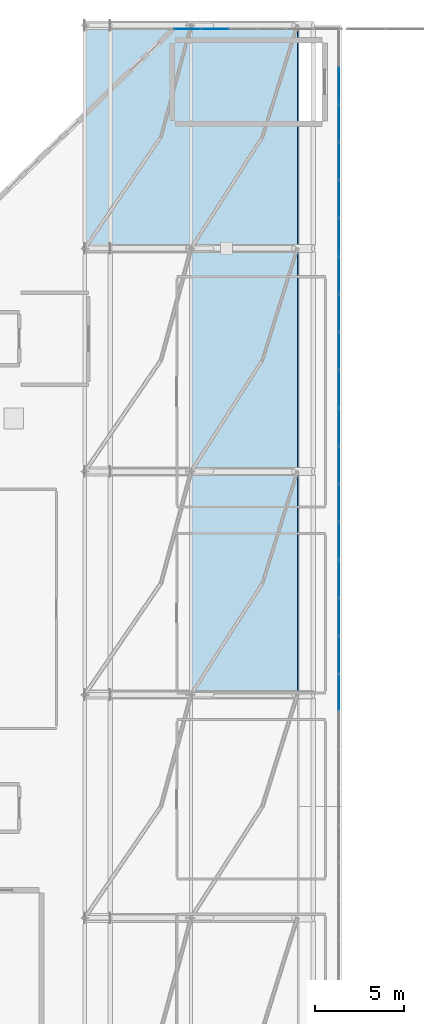
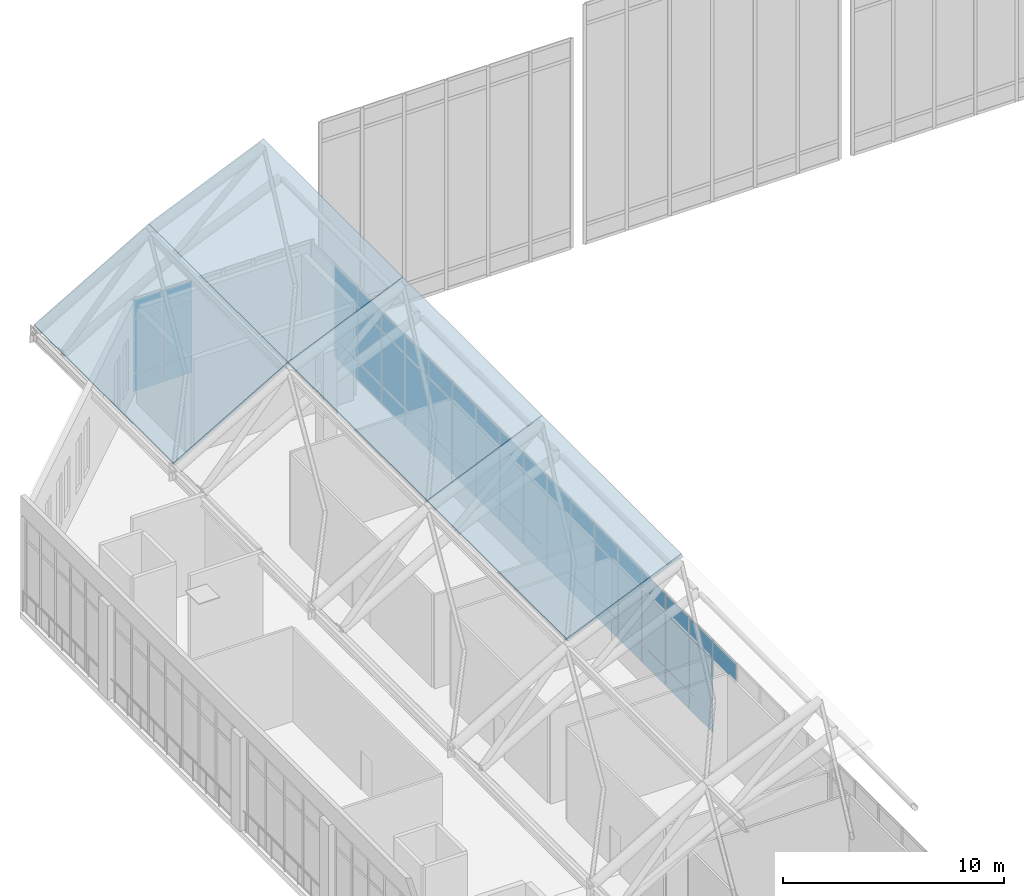
# One storey, part 29 of 42: 55 plates, 4 slabs, 2 elements without a shape of their own.
"""IFC4 building model written with IfcOpenShell, lengths in metres."""

from ifc_helpers import new_model, si_unit, derived_unit, direction, frame, origin, origin_2d, place, context, subcontext, project, spatial, polyline, rectangle, outline, extrude, material, layer, layer_set, type_object, element, aggregate, save


model = new_model("IFC4")

# Units and contexts
model_context = context("Model", 3, precision=1e-05, world=origin(), true_north=direction((0.0, 1.0)))
body_context = subcontext(model_context, "Body", "Model", "MODEL_VIEW")
ifc_project = project(units=[si_unit("LENGTHUNIT", "METRE"), si_unit("AREAUNIT", "SQUARE_METRE"), si_unit("VOLUMEUNIT", "CUBIC_METRE"), si_unit("PLANEANGLEUNIT", "RADIAN"), si_unit("MASSUNIT", "GRAM", prefix="KILO"), derived_unit("THERMALTRANSMITTANCEUNIT", [(si_unit("MASSUNIT", "GRAM", prefix="KILO"), 1), (si_unit("TIMEUNIT", "SECOND"), -3), (si_unit("THERMODYNAMICTEMPERATUREUNIT", "KELVIN"), -1)])], contexts=[model_context])

# Site, building, storey
site_placement = place(None, origin())
site = spatial("IfcSite", under=ifc_project, at=site_placement, CompositionType="ELEMENT")
building_placement = place(site_placement, origin())
building = spatial("IfcBuilding", under=site, at=building_placement, Name="Valcora Ridge Arena", CompositionType="ELEMENT")
storey_placement = place(building_placement, frame((0.0, 0.0, 26.39990234375)))
storey = spatial("IfcBuildingStorey", under=building, at=storey_placement, Name="L05", CompositionType="ELEMENT", Elevation=26.39990234375)

# Curtain wall, plates
ifc_material_1 = material(Name="Anodised dark bronze architectural aluminium 6063-T6", Category="aluminium")
ifc_layer_1 = layer(ifc_material_1, 0.179931640625, Name="Anodised dark bronze architectural aluminium 6063-T6")
ifc_layer_set_1 = layer_set([ifc_layer_1], Name="Anodised dark bronze architectural aluminium 6063-T6")
curtain_wall_type_1 = type_object("IfcCurtainWallType", Name="TY-CURTAINWALL-CW-V1-GOTH-095X52", PredefinedType="NOTDEFINED", material=ifc_layer_set_1)
curtain_wall_1_placement = place(storey_placement, origin())
curtain_wall_1 = element("IfcCurtainWall", 1, at=curtain_wall_1_placement, inside=storey, type_object=curtain_wall_type_1, Name="CW-V1-GOTH-095X52 CW-0170", PredefinedType="NOTDEFINED")
ifc_material_2 = material(Name="Low-iron solar-control double glazing SHGC 0.28", Category="glass")
ifc_layer_2 = layer(ifc_material_2, 0.031982421875, Name="Low-iron solar-control double glazing SHGC 0.28")
ifc_layer_set_2 = layer_set([ifc_layer_2], Name="Low-iron solar-control double glazing SHGC 0.28")
plate_type_1 = type_object("IfcPlateType", Name="TY-PLT-CWP-1493X0960", PredefinedType="CURTAIN_PANEL", material=ifc_layer_set_2)
plate_1_placement = place(storey_placement, frame((29.806396484375, 108.0, 0.06005859375), z_axis=(0.0, 0.0, 1.0), x_axis=(1.0, 0.0, 0.0)))
plate_1 = element("IfcPlate", 2, at=plate_1_placement, type_object=plate_type_1, Name="CW-0170/P00-00", PredefinedType="CURTAIN_PANEL", context=body_context, shape_type="SweptSolid", body=[
    extrude(rectangle(XDim=1.492919921875, YDim=0.031982421875, at=origin_2d()), origin(), (0.0, 0.0, 1.0), 0.9599609375),
])
ifc_layer_3 = layer(ifc_material_2, 0.031982421875, Name="Low-iron solar-control double glazing SHGC 0.28")
ifc_layer_set_3 = layer_set([ifc_layer_3], Name="Low-iron solar-control double glazing SHGC 0.28")
plate_type_2 = type_object("IfcPlateType", Name="TY-PLT-CWP-1493X1010", PredefinedType="CURTAIN_PANEL", material=ifc_layer_set_3)
plate_2_placement = place(storey_placement, frame((29.806396484375, 108.0, 4.10986328125), z_axis=(0.0, 0.0, 1.0), x_axis=(1.0, 0.0, 0.0)))
plate_2 = element("IfcPlate", 3, at=plate_2_placement, type_object=plate_type_2, Name="CW-0170/P00-02", PredefinedType="CURTAIN_PANEL", context=body_context, shape_type="SweptSolid", body=[
    extrude(rectangle(XDim=1.492919921875, YDim=0.031982421875, at=origin_2d()), origin(), (0.0, 0.0, 1.0), 1.010009765625),
])
ifc_layer_4 = layer(ifc_material_2, 0.031982421875, Name="Low-iron solar-control double glazing SHGC 0.28")
ifc_layer_set_4 = layer_set([ifc_layer_4], Name="Low-iron solar-control double glazing SHGC 0.28")
plate_type_3 = type_object("IfcPlateType", Name="TY-PLT-CWP-1493X2970", PredefinedType="CURTAIN_PANEL", material=ifc_layer_set_4)
plate_3_placement = place(storey_placement, frame((29.806396484375, 108.0, 1.080078125), z_axis=(0.0, 0.0, 1.0), x_axis=(1.0, 0.0, 0.0)))
plate_3 = element("IfcPlate", 4, at=plate_3_placement, type_object=plate_type_3, Name="CW-0170/P00-01", PredefinedType="CURTAIN_PANEL", context=body_context, shape_type="SweptSolid", body=[
    extrude(rectangle(XDim=1.492919921875, YDim=0.031982421875, at=origin_2d()), origin(), (0.0, 0.0, 1.0), 2.969970703125),
])
ifc_layer_5 = layer(ifc_material_2, 0.031982421875, Name="Low-iron solar-control double glazing SHGC 0.28")
ifc_layer_set_5 = layer_set([ifc_layer_5], Name="Low-iron solar-control double glazing SHGC 0.28")
plate_type_4 = type_object("IfcPlateType", Name="TY-PLT-CWP-1524X0960", PredefinedType="CURTAIN_PANEL", material=ifc_layer_set_5)
plate_4_placement = place(storey_placement, frame((31.375, 108.0, 0.06005859375), z_axis=(0.0, 0.0, 1.0), x_axis=(1.0, 0.0, 0.0)))
plate_4 = element("IfcPlate", 5, at=plate_4_placement, type_object=plate_type_4, Name="CW-0170/P01-00", PredefinedType="CURTAIN_PANEL", context=body_context, shape_type="SweptSolid", body=[
    extrude(rectangle(XDim=1.52392578125, YDim=0.031982421875, at=origin_2d()), origin(), (0.0, 0.0, 1.0), 0.9599609375),
])
ifc_layer_6 = layer(ifc_material_2, 0.031982421875, Name="Low-iron solar-control double glazing SHGC 0.28")
ifc_layer_set_6 = layer_set([ifc_layer_6], Name="Low-iron solar-control double glazing SHGC 0.28")
plate_type_5 = type_object("IfcPlateType", Name="TY-PLT-CWP-1524X1010", PredefinedType="CURTAIN_PANEL", material=ifc_layer_set_6)
plate_5_placement = place(storey_placement, frame((31.375, 108.0, 4.10986328125), z_axis=(0.0, 0.0, 1.0), x_axis=(1.0, 0.0, 0.0)))
plate_5 = element("IfcPlate", 6, at=plate_5_placement, type_object=plate_type_5, Name="CW-0170/P01-02", PredefinedType="CURTAIN_PANEL", context=body_context, shape_type="SweptSolid", body=[
    extrude(rectangle(XDim=1.52392578125, YDim=0.031982421875, at=origin_2d()), origin(), (0.0, 0.0, 1.0), 1.010009765625),
])
ifc_layer_7 = layer(ifc_material_2, 0.031982421875, Name="Low-iron solar-control double glazing SHGC 0.28")
ifc_layer_set_7 = layer_set([ifc_layer_7], Name="Low-iron solar-control double glazing SHGC 0.28")
plate_type_6 = type_object("IfcPlateType", Name="TY-PLT-CWP-1524X2970", PredefinedType="CURTAIN_PANEL", material=ifc_layer_set_7)
plate_6_placement = place(storey_placement, frame((31.375, 108.0, 1.080078125), z_axis=(0.0, 0.0, 1.0), x_axis=(1.0, 0.0, 0.0)))
plate_6 = element("IfcPlate", 7, at=plate_6_placement, type_object=plate_type_6, Name="CW-0170/P01-01", PredefinedType="CURTAIN_PANEL", context=body_context, shape_type="SweptSolid", body=[
    extrude(rectangle(XDim=1.52392578125, YDim=0.031982421875, at=origin_2d()), origin(), (0.0, 0.0, 1.0), 2.969970703125),
])
aggregate(curtain_wall_1, [plate_1, plate_3, plate_2, plate_4, plate_6, plate_5])

ifc_layer_8 = layer(ifc_material_1, 0.14990234375, Name="Anodised dark bronze architectural aluminium 6063-T6")
ifc_layer_set_8 = layer_set([ifc_layer_8], Name="Anodised dark bronze architectural aluminium 6063-T6")
curtain_wall_type_2 = type_object("IfcCurtainWallType", Name="TY-CURTAINWALL-CW-V1-SKY-878X52", PredefinedType="NOTDEFINED", material=ifc_layer_set_8)
curtain_wall_2_placement = place(storey_placement, origin())
curtain_wall_2 = element("IfcCurtainWall", 8, at=curtain_wall_2_placement, inside=storey, type_object=curtain_wall_type_2, Name="CW-V1-SKY-878X52 CW-0171", PredefinedType="NOTDEFINED")
ifc_layer_9 = layer(ifc_material_2, 0.028076171875, Name="Low-iron solar-control double glazing SHGC 0.28")
ifc_layer_set_9 = layer_set([ifc_layer_9], Name="Low-iron solar-control double glazing SHGC 0.28")
plate_type_7 = type_object("IfcPlateType", Name="TY-PLT-CWP-2091X0975", PredefinedType="CURTAIN_PANEL", material=ifc_layer_set_9)
plate_7_placement = place(storey_placement, frame((38.35009765625, 74.8076171875, 0.050048828125), z_axis=(0.0, 0.0, 1.0), x_axis=(0.0, 1.0, 0.0)))
plate_7 = element("IfcPlate", 9, at=plate_7_placement, type_object=plate_type_7, Name="CW-0171/P25-00", PredefinedType="CURTAIN_PANEL", context=body_context, shape_type="SweptSolid", body=[
    extrude(rectangle(XDim=2.091064453125, YDim=0.028076171875, at=origin_2d()), origin(), (0.0, 0.0, 1.0), 0.97509765625),
])
plate_8_placement = place(storey_placement, frame((38.35009765625, 79.090576171875, 0.050048828125), z_axis=(0.0, 0.0, 1.0), x_axis=(0.0, 1.0, 0.0)))
plate_8 = element("IfcPlate", 10, at=plate_8_placement, type_object=plate_type_7, Name="CW-0171/P27-00", PredefinedType="CURTAIN_PANEL", context=body_context, shape_type="SweptSolid", body=[
    extrude(rectangle(XDim=2.091064453125, YDim=0.028076171875, at=origin_2d()), origin(), (0.0, 0.0, 1.0), 0.97509765625),
])
plate_9_placement = place(storey_placement, frame((38.35009765625, 81.2314453125, 0.050048828125), z_axis=(0.0, 0.0, 1.0), x_axis=(0.0, 1.0, 0.0)))
plate_9 = element("IfcPlate", 11, at=plate_9_placement, type_object=plate_type_7, Name="CW-0171/P28-00", PredefinedType="CURTAIN_PANEL", context=body_context, shape_type="SweptSolid", body=[
    extrude(rectangle(XDim=2.091064453125, YDim=0.028076171875, at=origin_2d()), origin(), (0.0, 0.0, 1.0), 0.97509765625),
])
plate_10_placement = place(storey_placement, frame((38.35009765625, 85.514404296875, 0.050048828125), z_axis=(0.0, 0.0, 1.0), x_axis=(0.0, 1.0, 0.0)))
plate_10 = element("IfcPlate", 12, at=plate_10_placement, type_object=plate_type_7, Name="CW-0171/P30-00", PredefinedType="CURTAIN_PANEL", context=body_context, shape_type="SweptSolid", body=[
    extrude(rectangle(XDim=2.091064453125, YDim=0.028076171875, at=origin_2d()), origin(), (0.0, 0.0, 1.0), 0.97509765625),
])
plate_11_placement = place(storey_placement, frame((38.35009765625, 89.797607421875, 0.050048828125), z_axis=(0.0, 0.0, 1.0), x_axis=(0.0, 1.0, 0.0)))
plate_11 = element("IfcPlate", 13, at=plate_11_placement, type_object=plate_type_7, Name="CW-0171/P32-00", PredefinedType="CURTAIN_PANEL", context=body_context, shape_type="SweptSolid", body=[
    extrude(rectangle(XDim=2.091064453125, YDim=0.028076171875, at=origin_2d()), origin(), (0.0, 0.0, 1.0), 0.97509765625),
])
plate_12_placement = place(storey_placement, frame((38.35009765625, 94.08056640625, 0.050048828125), z_axis=(0.0, 0.0, 1.0), x_axis=(0.0, 1.0, 0.0)))
plate_12 = element("IfcPlate", 14, at=plate_12_placement, type_object=plate_type_7, Name="CW-0171/P34-00", PredefinedType="CURTAIN_PANEL", context=body_context, shape_type="SweptSolid", body=[
    extrude(rectangle(XDim=2.091064453125, YDim=0.028076171875, at=origin_2d()), origin(), (0.0, 0.0, 1.0), 0.97509765625),
])
plate_13_placement = place(storey_placement, frame((38.35009765625, 98.363525390625, 0.050048828125), z_axis=(0.0, 0.0, 1.0), x_axis=(0.0, 1.0, 0.0)))
plate_13 = element("IfcPlate", 15, at=plate_13_placement, type_object=plate_type_7, Name="CW-0171/P36-00", PredefinedType="CURTAIN_PANEL", context=body_context, shape_type="SweptSolid", body=[
    extrude(rectangle(XDim=2.091064453125, YDim=0.028076171875, at=origin_2d()), origin(), (0.0, 0.0, 1.0), 0.97509765625),
])
plate_14_placement = place(storey_placement, frame((38.35009765625, 102.646484375, 0.050048828125), z_axis=(0.0, 0.0, 1.0), x_axis=(0.0, 1.0, 0.0)))
plate_14 = element("IfcPlate", 16, at=plate_14_placement, type_object=plate_type_7, Name="CW-0171/P38-00", PredefinedType="CURTAIN_PANEL", context=body_context, shape_type="SweptSolid", body=[
    extrude(rectangle(XDim=2.091064453125, YDim=0.028076171875, at=origin_2d()), origin(), (0.0, 0.0, 1.0), 0.97509765625),
])
ifc_layer_10 = layer(ifc_material_2, 0.028076171875, Name="Low-iron solar-control double glazing SHGC 0.28")
ifc_layer_set_10 = layer_set([ifc_layer_10], Name="Low-iron solar-control double glazing SHGC 0.28")
plate_type_8 = type_object("IfcPlateType", Name="TY-PLT-CWP-2091X1025", PredefinedType="CURTAIN_PANEL", material=ifc_layer_set_10)
plate_15_placement = place(storey_placement, frame((38.35009765625, 70.5244140625, 4.105224609375), z_axis=(0.0, 0.0, 1.0), x_axis=(0.0, 1.0, 0.0)))
plate_15 = element("IfcPlate", 17, at=plate_15_placement, type_object=plate_type_8, Name="CW-0171/P23-02", PredefinedType="CURTAIN_PANEL", context=body_context, shape_type="SweptSolid", body=[
    extrude(rectangle(XDim=2.091064453125, YDim=0.028076171875, at=origin_2d()), origin(), (0.0, 0.0, 1.0), 1.02490234375),
])
plate_16_placement = place(storey_placement, frame((38.35009765625, 74.8076171875, 4.105224609375), z_axis=(0.0, 0.0, 1.0), x_axis=(0.0, 1.0, 0.0)))
plate_16 = element("IfcPlate", 18, at=plate_16_placement, type_object=plate_type_8, Name="CW-0171/P25-02", PredefinedType="CURTAIN_PANEL", context=body_context, shape_type="SweptSolid", body=[
    extrude(rectangle(XDim=2.091064453125, YDim=0.028076171875, at=origin_2d()), origin(), (0.0, 0.0, 1.0), 1.02490234375),
])
plate_17_placement = place(storey_placement, frame((38.35009765625, 79.090576171875, 4.105224609375), z_axis=(0.0, 0.0, 1.0), x_axis=(0.0, 1.0, 0.0)))
plate_17 = element("IfcPlate", 19, at=plate_17_placement, type_object=plate_type_8, Name="CW-0171/P27-02", PredefinedType="CURTAIN_PANEL", context=body_context, shape_type="SweptSolid", body=[
    extrude(rectangle(XDim=2.091064453125, YDim=0.028076171875, at=origin_2d()), origin(), (0.0, 0.0, 1.0), 1.02490234375),
])
plate_18_placement = place(storey_placement, frame((38.35009765625, 81.2314453125, 4.105224609375), z_axis=(0.0, 0.0, 1.0), x_axis=(0.0, 1.0, 0.0)))
plate_18 = element("IfcPlate", 20, at=plate_18_placement, type_object=plate_type_8, Name="CW-0171/P28-02", PredefinedType="CURTAIN_PANEL", context=body_context, shape_type="SweptSolid", body=[
    extrude(rectangle(XDim=2.091064453125, YDim=0.028076171875, at=origin_2d()), origin(), (0.0, 0.0, 1.0), 1.02490234375),
])
plate_19_placement = place(storey_placement, frame((38.35009765625, 85.514404296875, 4.105224609375), z_axis=(0.0, 0.0, 1.0), x_axis=(0.0, 1.0, 0.0)))
plate_19 = element("IfcPlate", 21, at=plate_19_placement, type_object=plate_type_8, Name="CW-0171/P30-02", PredefinedType="CURTAIN_PANEL", context=body_context, shape_type="SweptSolid", body=[
    extrude(rectangle(XDim=2.091064453125, YDim=0.028076171875, at=origin_2d()), origin(), (0.0, 0.0, 1.0), 1.02490234375),
])
plate_20_placement = place(storey_placement, frame((38.35009765625, 89.797607421875, 4.105224609375), z_axis=(0.0, 0.0, 1.0), x_axis=(0.0, 1.0, 0.0)))
plate_20 = element("IfcPlate", 22, at=plate_20_placement, type_object=plate_type_8, Name="CW-0171/P32-02", PredefinedType="CURTAIN_PANEL", context=body_context, shape_type="SweptSolid", body=[
    extrude(rectangle(XDim=2.091064453125, YDim=0.028076171875, at=origin_2d()), origin(), (0.0, 0.0, 1.0), 1.02490234375),
])
plate_21_placement = place(storey_placement, frame((38.35009765625, 94.08056640625, 4.105224609375), z_axis=(0.0, 0.0, 1.0), x_axis=(0.0, 1.0, 0.0)))
plate_21 = element("IfcPlate", 23, at=plate_21_placement, type_object=plate_type_8, Name="CW-0171/P34-02", PredefinedType="CURTAIN_PANEL", context=body_context, shape_type="SweptSolid", body=[
    extrude(rectangle(XDim=2.091064453125, YDim=0.028076171875, at=origin_2d()), origin(), (0.0, 0.0, 1.0), 1.02490234375),
])
plate_22_placement = place(storey_placement, frame((38.35009765625, 98.363525390625, 4.105224609375), z_axis=(0.0, 0.0, 1.0), x_axis=(0.0, 1.0, 0.0)))
plate_22 = element("IfcPlate", 24, at=plate_22_placement, type_object=plate_type_8, Name="CW-0171/P36-02", PredefinedType="CURTAIN_PANEL", context=body_context, shape_type="SweptSolid", body=[
    extrude(rectangle(XDim=2.091064453125, YDim=0.028076171875, at=origin_2d()), origin(), (0.0, 0.0, 1.0), 1.02490234375),
])
plate_23_placement = place(storey_placement, frame((38.35009765625, 102.646484375, 4.105224609375), z_axis=(0.0, 0.0, 1.0), x_axis=(0.0, 1.0, 0.0)))
plate_23 = element("IfcPlate", 25, at=plate_23_placement, type_object=plate_type_8, Name="CW-0171/P38-02", PredefinedType="CURTAIN_PANEL", context=body_context, shape_type="SweptSolid", body=[
    extrude(rectangle(XDim=2.091064453125, YDim=0.028076171875, at=origin_2d()), origin(), (0.0, 0.0, 1.0), 1.02490234375),
])
ifc_layer_11 = layer(ifc_material_2, 0.028076171875, Name="Low-iron solar-control double glazing SHGC 0.28")
ifc_layer_set_11 = layer_set([ifc_layer_11], Name="Low-iron solar-control double glazing SHGC 0.28")
plate_type_9 = type_object("IfcPlateType", Name="TY-PLT-CWP-2091X2980", PredefinedType="CURTAIN_PANEL", material=ifc_layer_set_11)
plate_24_placement = place(storey_placement, frame((38.35009765625, 74.8076171875, 1.0751953125), z_axis=(0.0, 0.0, 1.0), x_axis=(0.0, 1.0, 0.0)))
plate_24 = element("IfcPlate", 26, at=plate_24_placement, type_object=plate_type_9, Name="CW-0171/P25-01", PredefinedType="CURTAIN_PANEL", context=body_context, shape_type="SweptSolid", body=[
    extrude(rectangle(XDim=2.091064453125, YDim=0.028076171875, at=origin_2d()), origin(), (0.0, 0.0, 1.0), 2.97998046875),
])
plate_25_placement = place(storey_placement, frame((38.35009765625, 79.090576171875, 1.0751953125), z_axis=(0.0, 0.0, 1.0), x_axis=(0.0, 1.0, 0.0)))
plate_25 = element("IfcPlate", 27, at=plate_25_placement, type_object=plate_type_9, Name="CW-0171/P27-01", PredefinedType="CURTAIN_PANEL", context=body_context, shape_type="SweptSolid", body=[
    extrude(rectangle(XDim=2.091064453125, YDim=0.028076171875, at=origin_2d()), origin(), (0.0, 0.0, 1.0), 2.97998046875),
])
plate_26_placement = place(storey_placement, frame((38.35009765625, 81.2314453125, 1.0751953125), z_axis=(0.0, 0.0, 1.0), x_axis=(0.0, 1.0, 0.0)))
plate_26 = element("IfcPlate", 28, at=plate_26_placement, type_object=plate_type_9, Name="CW-0171/P28-01", PredefinedType="CURTAIN_PANEL", context=body_context, shape_type="SweptSolid", body=[
    extrude(rectangle(XDim=2.091064453125, YDim=0.028076171875, at=origin_2d()), origin(), (0.0, 0.0, 1.0), 2.97998046875),
])
plate_27_placement = place(storey_placement, frame((38.35009765625, 85.514404296875, 1.0751953125), z_axis=(0.0, 0.0, 1.0), x_axis=(0.0, 1.0, 0.0)))
plate_27 = element("IfcPlate", 29, at=plate_27_placement, type_object=plate_type_9, Name="CW-0171/P30-01", PredefinedType="CURTAIN_PANEL", context=body_context, shape_type="SweptSolid", body=[
    extrude(rectangle(XDim=2.091064453125, YDim=0.028076171875, at=origin_2d()), origin(), (0.0, 0.0, 1.0), 2.97998046875),
])
plate_28_placement = place(storey_placement, frame((38.35009765625, 89.797607421875, 1.0751953125), z_axis=(0.0, 0.0, 1.0), x_axis=(0.0, 1.0, 0.0)))
plate_28 = element("IfcPlate", 30, at=plate_28_placement, type_object=plate_type_9, Name="CW-0171/P32-01", PredefinedType="CURTAIN_PANEL", context=body_context, shape_type="SweptSolid", body=[
    extrude(rectangle(XDim=2.091064453125, YDim=0.028076171875, at=origin_2d()), origin(), (0.0, 0.0, 1.0), 2.97998046875),
])
plate_29_placement = place(storey_placement, frame((38.35009765625, 94.08056640625, 1.0751953125), z_axis=(0.0, 0.0, 1.0), x_axis=(0.0, 1.0, 0.0)))
plate_29 = element("IfcPlate", 31, at=plate_29_placement, type_object=plate_type_9, Name="CW-0171/P34-01", PredefinedType="CURTAIN_PANEL", context=body_context, shape_type="SweptSolid", body=[
    extrude(rectangle(XDim=2.091064453125, YDim=0.028076171875, at=origin_2d()), origin(), (0.0, 0.0, 1.0), 2.97998046875),
])
plate_30_placement = place(storey_placement, frame((38.35009765625, 98.363525390625, 1.0751953125), z_axis=(0.0, 0.0, 1.0), x_axis=(0.0, 1.0, 0.0)))
plate_30 = element("IfcPlate", 32, at=plate_30_placement, type_object=plate_type_9, Name="CW-0171/P36-01", PredefinedType="CURTAIN_PANEL", context=body_context, shape_type="SweptSolid", body=[
    extrude(rectangle(XDim=2.091064453125, YDim=0.028076171875, at=origin_2d()), origin(), (0.0, 0.0, 1.0), 2.97998046875),
])
plate_31_placement = place(storey_placement, frame((38.35009765625, 102.646484375, 1.0751953125), z_axis=(0.0, 0.0, 1.0), x_axis=(0.0, 1.0, 0.0)))
plate_31 = element("IfcPlate", 33, at=plate_31_placement, type_object=plate_type_9, Name="CW-0171/P38-01", PredefinedType="CURTAIN_PANEL", context=body_context, shape_type="SweptSolid", body=[
    extrude(rectangle(XDim=2.091064453125, YDim=0.028076171875, at=origin_2d()), origin(), (0.0, 0.0, 1.0), 2.97998046875),
])
ifc_layer_12 = layer(ifc_material_2, 0.028076171875, Name="Low-iron solar-control double glazing SHGC 0.28")
ifc_layer_set_12 = layer_set([ifc_layer_12], Name="Low-iron solar-control double glazing SHGC 0.28")
plate_type_10 = type_object("IfcPlateType", Name="TY-PLT-CWP-2092X0975", PredefinedType="CURTAIN_PANEL", material=ifc_layer_set_12)
plate_32_placement = place(storey_placement, frame((38.35009765625, 72.666015625, 0.050048828125), z_axis=(0.0, 0.0, 1.0), x_axis=(0.0, 1.0, 0.0)))
plate_32 = element("IfcPlate", 34, at=plate_32_placement, type_object=plate_type_10, Name="CW-0171/P24-00", PredefinedType="CURTAIN_PANEL", context=body_context, shape_type="SweptSolid", body=[
    extrude(rectangle(XDim=2.092041015625, YDim=0.028076171875, at=origin_2d()), origin(), (0.0, 0.0, 1.0), 0.97509765625),
])
plate_33_placement = place(storey_placement, frame((38.35009765625, 76.948974609375, 0.050048828125), z_axis=(0.0, 0.0, 1.0), x_axis=(0.0, 1.0, 0.0)))
plate_33 = element("IfcPlate", 35, at=plate_33_placement, type_object=plate_type_10, Name="CW-0171/P26-00", PredefinedType="CURTAIN_PANEL", context=body_context, shape_type="SweptSolid", body=[
    extrude(rectangle(XDim=2.092041015625, YDim=0.028076171875, at=origin_2d()), origin(), (0.0, 0.0, 1.0), 0.97509765625),
])
plate_34_placement = place(storey_placement, frame((38.35009765625, 83.373046875, 0.050048828125), z_axis=(0.0, 0.0, 1.0), x_axis=(0.0, 1.0, 0.0)))
plate_34 = element("IfcPlate", 36, at=plate_34_placement, type_object=plate_type_10, Name="CW-0171/P29-00", PredefinedType="CURTAIN_PANEL", context=body_context, shape_type="SweptSolid", body=[
    extrude(rectangle(XDim=2.092041015625, YDim=0.028076171875, at=origin_2d()), origin(), (0.0, 0.0, 1.0), 0.97509765625),
])
plate_35_placement = place(storey_placement, frame((38.35009765625, 87.656005859375, 0.050048828125), z_axis=(0.0, 0.0, 1.0), x_axis=(0.0, 1.0, 0.0)))
plate_35 = element("IfcPlate", 37, at=plate_35_placement, type_object=plate_type_10, Name="CW-0171/P31-00", PredefinedType="CURTAIN_PANEL", context=body_context, shape_type="SweptSolid", body=[
    extrude(rectangle(XDim=2.092041015625, YDim=0.028076171875, at=origin_2d()), origin(), (0.0, 0.0, 1.0), 0.97509765625),
])
plate_36_placement = place(storey_placement, frame((38.35009765625, 91.93896484375, 0.050048828125), z_axis=(0.0, 0.0, 1.0), x_axis=(0.0, 1.0, 0.0)))
plate_36 = element("IfcPlate", 38, at=plate_36_placement, type_object=plate_type_10, Name="CW-0171/P33-00", PredefinedType="CURTAIN_PANEL", context=body_context, shape_type="SweptSolid", body=[
    extrude(rectangle(XDim=2.092041015625, YDim=0.028076171875, at=origin_2d()), origin(), (0.0, 0.0, 1.0), 0.97509765625),
])
plate_37_placement = place(storey_placement, frame((38.35009765625, 96.221923828125, 0.050048828125), z_axis=(0.0, 0.0, 1.0), x_axis=(0.0, 1.0, 0.0)))
plate_37 = element("IfcPlate", 39, at=plate_37_placement, type_object=plate_type_10, Name="CW-0171/P35-00", PredefinedType="CURTAIN_PANEL", context=body_context, shape_type="SweptSolid", body=[
    extrude(rectangle(XDim=2.092041015625, YDim=0.028076171875, at=origin_2d()), origin(), (0.0, 0.0, 1.0), 0.97509765625),
])
plate_38_placement = place(storey_placement, frame((38.35009765625, 100.5048828125, 0.050048828125), z_axis=(0.0, 0.0, 1.0), x_axis=(0.0, 1.0, 0.0)))
plate_38 = element("IfcPlate", 40, at=plate_38_placement, type_object=plate_type_10, Name="CW-0171/P37-00", PredefinedType="CURTAIN_PANEL", context=body_context, shape_type="SweptSolid", body=[
    extrude(rectangle(XDim=2.092041015625, YDim=0.028076171875, at=origin_2d()), origin(), (0.0, 0.0, 1.0), 0.97509765625),
])
plate_39_placement = place(storey_placement, frame((38.35009765625, 104.7880859375, 0.050048828125), z_axis=(0.0, 0.0, 1.0), x_axis=(0.0, 1.0, 0.0)))
plate_39 = element("IfcPlate", 41, at=plate_39_placement, type_object=plate_type_10, Name="CW-0171/P39-00", PredefinedType="CURTAIN_PANEL", context=body_context, shape_type="SweptSolid", body=[
    extrude(rectangle(XDim=2.092041015625, YDim=0.028076171875, at=origin_2d()), origin(), (0.0, 0.0, 1.0), 0.97509765625),
])
ifc_layer_13 = layer(ifc_material_2, 0.028076171875, Name="Low-iron solar-control double glazing SHGC 0.28")
ifc_layer_set_13 = layer_set([ifc_layer_13], Name="Low-iron solar-control double glazing SHGC 0.28")
plate_type_11 = type_object("IfcPlateType", Name="TY-PLT-CWP-2092X1025", PredefinedType="CURTAIN_PANEL", material=ifc_layer_set_13)
plate_40_placement = place(storey_placement, frame((38.35009765625, 72.666015625, 4.105224609375), z_axis=(0.0, 0.0, 1.0), x_axis=(0.0, 1.0, 0.0)))
plate_40 = element("IfcPlate", 42, at=plate_40_placement, type_object=plate_type_11, Name="CW-0171/P24-02", PredefinedType="CURTAIN_PANEL", context=body_context, shape_type="SweptSolid", body=[
    extrude(rectangle(XDim=2.092041015625, YDim=0.028076171875, at=origin_2d()), origin(), (0.0, 0.0, 1.0), 1.02490234375),
])
plate_41_placement = place(storey_placement, frame((38.35009765625, 76.948974609375, 4.105224609375), z_axis=(0.0, 0.0, 1.0), x_axis=(0.0, 1.0, 0.0)))
plate_41 = element("IfcPlate", 43, at=plate_41_placement, type_object=plate_type_11, Name="CW-0171/P26-02", PredefinedType="CURTAIN_PANEL", context=body_context, shape_type="SweptSolid", body=[
    extrude(rectangle(XDim=2.092041015625, YDim=0.028076171875, at=origin_2d()), origin(), (0.0, 0.0, 1.0), 1.02490234375),
])
plate_42_placement = place(storey_placement, frame((38.35009765625, 83.373046875, 4.105224609375), z_axis=(0.0, 0.0, 1.0), x_axis=(0.0, 1.0, 0.0)))
plate_42 = element("IfcPlate", 44, at=plate_42_placement, type_object=plate_type_11, Name="CW-0171/P29-02", PredefinedType="CURTAIN_PANEL", context=body_context, shape_type="SweptSolid", body=[
    extrude(rectangle(XDim=2.092041015625, YDim=0.028076171875, at=origin_2d()), origin(), (0.0, 0.0, 1.0), 1.02490234375),
])
plate_43_placement = place(storey_placement, frame((38.35009765625, 87.656005859375, 4.105224609375), z_axis=(0.0, 0.0, 1.0), x_axis=(0.0, 1.0, 0.0)))
plate_43 = element("IfcPlate", 45, at=plate_43_placement, type_object=plate_type_11, Name="CW-0171/P31-02", PredefinedType="CURTAIN_PANEL", context=body_context, shape_type="SweptSolid", body=[
    extrude(rectangle(XDim=2.092041015625, YDim=0.028076171875, at=origin_2d()), origin(), (0.0, 0.0, 1.0), 1.02490234375),
])
plate_44_placement = place(storey_placement, frame((38.35009765625, 91.93896484375, 4.105224609375), z_axis=(0.0, 0.0, 1.0), x_axis=(0.0, 1.0, 0.0)))
plate_44 = element("IfcPlate", 46, at=plate_44_placement, type_object=plate_type_11, Name="CW-0171/P33-02", PredefinedType="CURTAIN_PANEL", context=body_context, shape_type="SweptSolid", body=[
    extrude(rectangle(XDim=2.092041015625, YDim=0.028076171875, at=origin_2d()), origin(), (0.0, 0.0, 1.0), 1.02490234375),
])
plate_45_placement = place(storey_placement, frame((38.35009765625, 96.221923828125, 4.105224609375), z_axis=(0.0, 0.0, 1.0), x_axis=(0.0, 1.0, 0.0)))
plate_45 = element("IfcPlate", 47, at=plate_45_placement, type_object=plate_type_11, Name="CW-0171/P35-02", PredefinedType="CURTAIN_PANEL", context=body_context, shape_type="SweptSolid", body=[
    extrude(rectangle(XDim=2.092041015625, YDim=0.028076171875, at=origin_2d()), origin(), (0.0, 0.0, 1.0), 1.02490234375),
])
plate_46_placement = place(storey_placement, frame((38.35009765625, 100.5048828125, 4.105224609375), z_axis=(0.0, 0.0, 1.0), x_axis=(0.0, 1.0, 0.0)))
plate_46 = element("IfcPlate", 48, at=plate_46_placement, type_object=plate_type_11, Name="CW-0171/P37-02", PredefinedType="CURTAIN_PANEL", context=body_context, shape_type="SweptSolid", body=[
    extrude(rectangle(XDim=2.092041015625, YDim=0.028076171875, at=origin_2d()), origin(), (0.0, 0.0, 1.0), 1.02490234375),
])
plate_47_placement = place(storey_placement, frame((38.35009765625, 104.7880859375, 4.105224609375), z_axis=(0.0, 0.0, 1.0), x_axis=(0.0, 1.0, 0.0)))
plate_47 = element("IfcPlate", 49, at=plate_47_placement, type_object=plate_type_11, Name="CW-0171/P39-02", PredefinedType="CURTAIN_PANEL", context=body_context, shape_type="SweptSolid", body=[
    extrude(rectangle(XDim=2.092041015625, YDim=0.028076171875, at=origin_2d()), origin(), (0.0, 0.0, 1.0), 1.02490234375),
])
ifc_layer_14 = layer(ifc_material_2, 0.028076171875, Name="Low-iron solar-control double glazing SHGC 0.28")
ifc_layer_set_14 = layer_set([ifc_layer_14], Name="Low-iron solar-control double glazing SHGC 0.28")
plate_type_12 = type_object("IfcPlateType", Name="TY-PLT-CWP-2092X2980", PredefinedType="CURTAIN_PANEL", material=ifc_layer_set_14)
plate_48_placement = place(storey_placement, frame((38.35009765625, 72.666015625, 1.0751953125), z_axis=(0.0, 0.0, 1.0), x_axis=(0.0, 1.0, 0.0)))
plate_48 = element("IfcPlate", 50, at=plate_48_placement, type_object=plate_type_12, Name="CW-0171/P24-01", PredefinedType="CURTAIN_PANEL", context=body_context, shape_type="SweptSolid", body=[
    extrude(rectangle(XDim=2.092041015625, YDim=0.028076171875, at=origin_2d()), origin(), (0.0, 0.0, 1.0), 2.97998046875),
])
plate_49_placement = place(storey_placement, frame((38.35009765625, 76.948974609375, 1.0751953125), z_axis=(0.0, 0.0, 1.0), x_axis=(0.0, 1.0, 0.0)))
plate_49 = element("IfcPlate", 51, at=plate_49_placement, type_object=plate_type_12, Name="CW-0171/P26-01", PredefinedType="CURTAIN_PANEL", context=body_context, shape_type="SweptSolid", body=[
    extrude(rectangle(XDim=2.092041015625, YDim=0.028076171875, at=origin_2d()), origin(), (0.0, 0.0, 1.0), 2.97998046875),
])
plate_50_placement = place(storey_placement, frame((38.35009765625, 83.373046875, 1.0751953125), z_axis=(0.0, 0.0, 1.0), x_axis=(0.0, 1.0, 0.0)))
plate_50 = element("IfcPlate", 52, at=plate_50_placement, type_object=plate_type_12, Name="CW-0171/P29-01", PredefinedType="CURTAIN_PANEL", context=body_context, shape_type="SweptSolid", body=[
    extrude(rectangle(XDim=2.092041015625, YDim=0.028076171875, at=origin_2d()), origin(), (0.0, 0.0, 1.0), 2.97998046875),
])
plate_51_placement = place(storey_placement, frame((38.35009765625, 87.656005859375, 1.0751953125), z_axis=(0.0, 0.0, 1.0), x_axis=(0.0, 1.0, 0.0)))
plate_51 = element("IfcPlate", 53, at=plate_51_placement, type_object=plate_type_12, Name="CW-0171/P31-01", PredefinedType="CURTAIN_PANEL", context=body_context, shape_type="SweptSolid", body=[
    extrude(rectangle(XDim=2.092041015625, YDim=0.028076171875, at=origin_2d()), origin(), (0.0, 0.0, 1.0), 2.97998046875),
])
plate_52_placement = place(storey_placement, frame((38.35009765625, 91.93896484375, 1.0751953125), z_axis=(0.0, 0.0, 1.0), x_axis=(0.0, 1.0, 0.0)))
plate_52 = element("IfcPlate", 54, at=plate_52_placement, type_object=plate_type_12, Name="CW-0171/P33-01", PredefinedType="CURTAIN_PANEL", context=body_context, shape_type="SweptSolid", body=[
    extrude(rectangle(XDim=2.092041015625, YDim=0.028076171875, at=origin_2d()), origin(), (0.0, 0.0, 1.0), 2.97998046875),
])
plate_53_placement = place(storey_placement, frame((38.35009765625, 96.221923828125, 1.0751953125), z_axis=(0.0, 0.0, 1.0), x_axis=(0.0, 1.0, 0.0)))
plate_53 = element("IfcPlate", 55, at=plate_53_placement, type_object=plate_type_12, Name="CW-0171/P35-01", PredefinedType="CURTAIN_PANEL", context=body_context, shape_type="SweptSolid", body=[
    extrude(rectangle(XDim=2.092041015625, YDim=0.028076171875, at=origin_2d()), origin(), (0.0, 0.0, 1.0), 2.97998046875),
])
plate_54_placement = place(storey_placement, frame((38.35009765625, 100.5048828125, 1.0751953125), z_axis=(0.0, 0.0, 1.0), x_axis=(0.0, 1.0, 0.0)))
plate_54 = element("IfcPlate", 56, at=plate_54_placement, type_object=plate_type_12, Name="CW-0171/P37-01", PredefinedType="CURTAIN_PANEL", context=body_context, shape_type="SweptSolid", body=[
    extrude(rectangle(XDim=2.092041015625, YDim=0.028076171875, at=origin_2d()), origin(), (0.0, 0.0, 1.0), 2.97998046875),
])
plate_55_placement = place(storey_placement, frame((38.35009765625, 104.7880859375, 1.0751953125), z_axis=(0.0, 0.0, 1.0), x_axis=(0.0, 1.0, 0.0)))
plate_55 = element("IfcPlate", 57, at=plate_55_placement, type_object=plate_type_12, Name="CW-0171/P39-01", PredefinedType="CURTAIN_PANEL", context=body_context, shape_type="SweptSolid", body=[
    extrude(rectangle(XDim=2.092041015625, YDim=0.028076171875, at=origin_2d()), origin(), (0.0, 0.0, 1.0), 2.97998046875),
])
aggregate(curtain_wall_2, [plate_15, plate_32, plate_48, plate_40, plate_7, plate_24, plate_16, plate_33, plate_49, plate_41, plate_8, plate_25, plate_17, plate_9, plate_26, plate_18, plate_34, plate_50, plate_42, plate_10, plate_27, plate_19, plate_35, plate_51, plate_43, plate_11, plate_28, plate_20, plate_36, plate_52, plate_44, plate_12, plate_29, plate_21, plate_37, plate_53, plate_45, plate_13, plate_30, plate_22, plate_38, plate_54, plate_46, plate_14, plate_31, plate_23, plate_39, plate_55, plate_47])

# Slabs
ifc_material_3 = material(Name="Concrete C40/50", Category="concrete")
ifc_layer_15 = layer(ifc_material_3, 0.219970703125, Name="Concrete C40/50")
ifc_layer_set_15 = layer_set([ifc_layer_15], Name="Concrete C40/50")
slab_type_1 = type_object("IfcSlabType", Name="TY-SLAB-RF-ARC-S01", PredefinedType="ROOF", material=ifc_layer_set_15)
slab_1_placement = place(storey_placement, frame((24.0, 95.60009765625, 5.400146484375), z_axis=(-0.501926643599, 0.0, 0.864910194439), x_axis=(0.864910194439, 0.0, 0.501926643599)))
element("IfcSlab", 58, at=slab_1_placement, inside=storey, type_object=slab_type_1, Name="RF-ARC-S01 SLB-RF-0073", PredefinedType="ROOF", context=body_context, shape_type="SweptSolid", body=[
    extrude(outline(polyline([(0.0, 0.0), (6.93713640858278, 0.0), (6.93713640858278, 12.599853515625), (0.0, 12.599853515625), (0.0, 0.0)])), origin(), (0.0, 0.0, -1.0), 0.219970703125),
])
ifc_layer_16 = layer(ifc_material_3, 0.219970703125, Name="Concrete C40/50")
ifc_layer_set_16 = layer_set([ifc_layer_16], Name="Concrete C40/50")
slab_type_2 = type_object("IfcSlabType", Name="TY-SLAB-RF-ARC-S02", PredefinedType="ROOF", material=ifc_layer_set_16)
for number, where, z_axis, x_axis, name in (
    (59, (30.0, 70.39990234375, 8.882080078125), (-0.397337061961, 0.0, 0.917672740792), (0.917672740792, 0.0, 0.397337061961), "RF-ARC-S02 SLB-RF-0050"),
    (60, (30.0, 83.0, 8.882080078125), (-0.397337061961, 0.0, 0.917672740792), (0.917672740792, 0.0, 0.397337061961), "RF-ARC-S02 SLB-RF-0062"),
):
    element("IfcSlab", number, at=place(storey_placement, frame(where, z_axis=z_axis, x_axis=x_axis)), inside=storey, type_object=slab_type_2, Name=name, PredefinedType="ROOF", context=body_context, shape_type="SweptSolid", body=[
        extrude(outline(polyline([(0.0, 0.0), (6.5382785532286345, 0.0), (6.5382785532286345, 12.60009765625), (0.0, 12.60009765625), (0.0, 0.0)])), origin(), (0.0, 0.0, -1.0), 0.219970703125),
    ])
slab_2_placement = place(storey_placement, frame((30.0, 95.60009765625, 8.882080078125), z_axis=(-0.397337061961, 0.0, 0.917672740792), x_axis=(0.917672740792, 0.0, 0.397337061961)))
element("IfcSlab", 61, at=slab_2_placement, inside=storey, type_object=slab_type_2, Name="RF-ARC-S02 SLB-RF-0074", PredefinedType="ROOF", context=body_context, shape_type="SweptSolid", body=[
    extrude(outline(polyline([(0.0, 0.0), (6.5382785532286345, 0.0), (6.5382785532286345, 12.599853515625), (0.0, 12.599853515625), (0.0, 0.0)])), origin(), (0.0, 0.0, -1.0), 0.219970703125),
])

save(model, "model.ifc")
